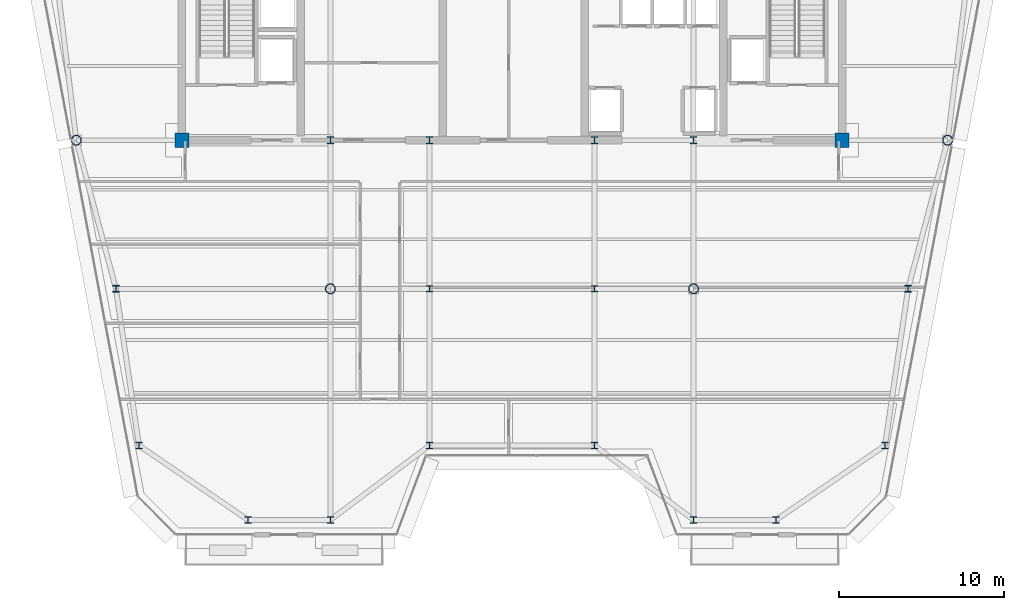
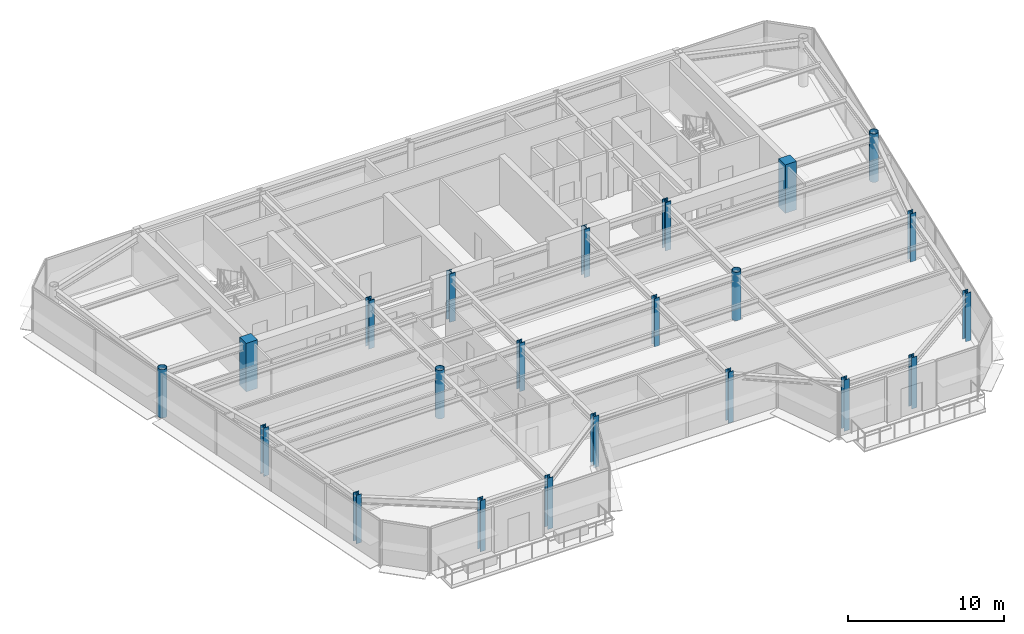
# One storey, part 1 of 20: 22 columns.
"""IFC4 building model written with IfcOpenShell, lengths in metres."""

from ifc_helpers import new_model, si_unit, direction, frame, origin, origin_2d, place, context, subcontext, project, spatial, rectangle, hollow_circle, i_section, extrude, source, transform, mapped, material, material_profile, profile_set, type_object, element, save


model = new_model("IFC4")

# Units and contexts
model_context = context("Model", 3, precision=1e-05, world=origin(), true_north=direction((0.0, 1.0)))
body_context = subcontext(model_context, "Body", "Model", "MODEL_VIEW")
ifc_project = project(units=[si_unit("LENGTHUNIT", "METRE"), si_unit("AREAUNIT", "SQUARE_METRE"), si_unit("VOLUMEUNIT", "CUBIC_METRE"), si_unit("PLANEANGLEUNIT", "RADIAN"), si_unit("MASSUNIT", "GRAM", prefix="KILO")], contexts=[model_context])

# Site, building, storey
site_placement = place(None, origin())
site = spatial("IfcSite", under=ifc_project, at=site_placement, CompositionType="ELEMENT")
building_placement = place(site_placement, origin())
building = spatial("IfcBuilding", under=site, at=building_placement, Name="Vaeldorn Concourse Tower", CompositionType="ELEMENT")
storey_placement = place(building_placement, frame((0.0, 0.0, 268.800048828125)))
storey = spatial("IfcBuildingStorey", under=building, at=storey_placement, Name="L69", CompositionType="ELEMENT", Elevation=268.800048828125)

# Columns
ifc_material_1 = material(Name="Concrete C50/60", Category="concrete")
ifc_material_profile_1 = material_profile(ifc_material_1, rectangle(XDim=0.85009765625, YDim=0.85009765625, at=origin_2d()), Name="RC 850x850")
ifc_profile_set_1 = profile_set([ifc_material_profile_1], Name="Concrete C50/60")
column_type_1 = type_object("IfcColumnType", Name="COL-RC850", PredefinedType="COLUMN", material=ifc_profile_set_1)
shared_shape_1 = source(origin(), body_context, "Body", "SweptSolid", [
    extrude(rectangle(XDim=0.85009765625, YDim=0.85009765625, at=origin_2d()), origin(), (0.0, 0.0, 1.0), 3.800048828125),
])
for number, where, z_axis, x_axis, name in (
    (1, (14.0, 36.5, 0.0), (0.0, 0.0, 1.0), (1.0, 0.0, 0.0), "Column C-FC1 L69"),
    (2, (54.0, 36.5, 0.0), (0.0, 0.0, 1.0), (1.0, 0.0, 0.0), "Column C-FC6 L69"),
):
    element("IfcColumn", number, at=place(storey_placement, frame(where, z_axis=z_axis, x_axis=x_axis)), inside=storey, type_object=column_type_1, Name=name, PredefinedType="COLUMN", context=body_context, shape_type="MappedRepresentation", body=[
        mapped(shared_shape_1, transform((0.0, 0.0, 0.0), scale=1.0)),
    ])
ifc_material_2 = material(Name="Steel S460", Category="steel")
ifc_material_profile_2 = material_profile(ifc_material_2, i_section(OverallWidth=0.41796875, OverallDepth=0.455078125, WebThickness=0.0419921875, FlangeThickness=0.05810546875, FilletRadius=0.014892578125, at=origin_2d()), Name="HD 400x551")
ifc_profile_set_2 = profile_set([ifc_material_profile_2], Name="Steel S460")
column_type_2 = type_object("IfcColumnType", Name="COL-HD551", PredefinedType="COLUMN", material=ifc_profile_set_2)
shared_shape_2 = source(origin(), body_context, "Body", "SweptSolid", [
    extrude(i_section(OverallWidth=0.41796875, OverallDepth=0.455078125, WebThickness=0.0419921875, FlangeThickness=0.05810546875, FilletRadius=0.014892578125, at=origin_2d()), origin(), (0.0, 0.0, 1.0), 3.800048828125),
])
for number, where, z_axis, x_axis, name in (
    (3, (23.0, 36.5, 0.0), (0.0, 0.0, 1.0), (1.0, 0.0, 0.0), "Column C-FC2 L69"),
    (4, (29.0, 36.5, 0.0), (0.0, 0.0, 1.0), (1.0, 0.0, 0.0), "Column C-FC3 L69"),
    (5, (39.0, 36.5, 0.0), (0.0, 0.0, 1.0), (1.0, 0.0, 0.0), "Column C-FC4 L69"),
    (6, (45.0, 36.5, 0.0), (0.0, 0.0, 1.0), (1.0, 0.0, 0.0), "Column C-FC5 L69"),
):
    element("IfcColumn", number, at=place(storey_placement, frame(where, z_axis=z_axis, x_axis=x_axis)), inside=storey, type_object=column_type_2, Name=name, PredefinedType="COLUMN", context=body_context, shape_type="MappedRepresentation", body=[
        mapped(shared_shape_2, transform((0.0, 0.0, 0.0), scale=1.0)),
    ])
ifc_material_3 = material(Name="Steel S355", Category="steel")
ifc_material_profile_3 = material_profile(ifc_material_3, hollow_circle(Radius=0.304931640625, WallThickness=0.030029296875, at=origin_2d()), Name="CHS 610x30")
ifc_profile_set_3 = profile_set([ifc_material_profile_3], Name="Steel S355")
column_type_3 = type_object("IfcColumnType", Name="COL-CHS610", PredefinedType="COLUMN", material=ifc_profile_set_3)
shared_shape_3 = source(origin(), body_context, "Body", "SweptSolid", [
    extrude(hollow_circle(Radius=0.304931640625, WallThickness=0.030029296875, at=origin_2d()), origin(), (0.0, 0.0, 1.0), 3.800048828125),
])
for number, where, z_axis, x_axis, name in (
    (7, (7.60009765625, 36.5, 0.0), (0.0, 0.0, 1.0), (1.0, 0.0, 0.0), "Column C-NW2 L69"),
    (8, (60.39990234375, 36.5, 0.0), (0.0, 0.0, 1.0), (1.0, 0.0, 0.0), "Column C-NE2 L69"),
    (9, (23.0, 27.5, 0.0), (0.0, 0.0, 1.0), (1.0, 0.0, 0.0), "Column C-TW1 L69"),
    (10, (45.0, 27.5, 0.0), (0.0, 0.0, 1.0), (1.0, 0.0, 0.0), "Column C-TW4 L69"),
):
    element("IfcColumn", number, at=place(storey_placement, frame(where, z_axis=z_axis, x_axis=x_axis)), inside=storey, type_object=column_type_3, Name=name, PredefinedType="COLUMN", context=body_context, shape_type="MappedRepresentation", body=[
        mapped(shared_shape_3, transform((0.0, 0.0, 0.0), scale=1.0)),
    ])
ifc_material_profile_4 = material_profile(ifc_material_3, i_section(OverallWidth=0.40087890625, OverallDepth=0.39892578125, WebThickness=0.02490234375, FlangeThickness=0.034912109375, FilletRadius=0.014892578125, at=origin_2d()), Name="HD 400x314")
ifc_profile_set_4 = profile_set([ifc_material_profile_4], Name="Steel S355")
column_type_4 = type_object("IfcColumnType", Name="COL-HD314F", PredefinedType="COLUMN", material=ifc_profile_set_4)
shared_shape_4 = source(origin(), body_context, "Body", "SweptSolid", [
    extrude(i_section(OverallWidth=0.40087890625, OverallDepth=0.39892578125, WebThickness=0.02490234375, FlangeThickness=0.034912109375, FilletRadius=0.014892578125, at=origin_2d()), origin(), (0.0, 0.0, 1.0), 3.800048828125),
])
for number, where, z_axis, x_axis, name in (
    (11, (10.0, 27.5, 0.0), (0.0, 0.0, 1.0), (1.0, 0.0, 0.0), "Column C-FLW1 L69"),
    (12, (11.39990234375, 18.0, 0.0), (0.0, 0.0, 1.0), (1.0, 0.0, 0.0), "Column C-FLW2 L69"),
    (13, (58.0, 27.5, 0.0), (0.0, 0.0, 1.0), (1.0, 0.0, 0.0), "Column C-FLE1 L69"),
    (14, (56.60009765625, 18.0, 0.0), (0.0, 0.0, 1.0), (1.0, 0.0, 0.0), "Column C-FLE2 L69"),
):
    element("IfcColumn", number, at=place(storey_placement, frame(where, z_axis=z_axis, x_axis=x_axis)), inside=storey, type_object=column_type_4, Name=name, PredefinedType="COLUMN", context=body_context, shape_type="MappedRepresentation", body=[
        mapped(shared_shape_4, transform((0.0, 0.0, 0.0), scale=1.0)),
    ])
ifc_material_profile_5 = material_profile(ifc_material_3, i_section(OverallWidth=0.39794921875, OverallDepth=0.386962890625, WebThickness=0.0205078125, FlangeThickness=0.029052734375, FilletRadius=0.014892578125, at=origin_2d()), Name="HD 400x262")
ifc_profile_set_5 = profile_set([ifc_material_profile_5], Name="Steel S355")
column_type_5 = type_object("IfcColumnType", Name="COL-HD262T", PredefinedType="COLUMN", material=ifc_profile_set_5)
shared_shape_5 = source(origin(), body_context, "Body", "SweptSolid", [
    extrude(i_section(OverallWidth=0.39794921875, OverallDepth=0.386962890625, WebThickness=0.0205078125, FlangeThickness=0.029052734375, FilletRadius=0.014892578125, at=origin_2d()), origin(), (0.0, 0.0, 1.0), 3.800048828125),
])
for number, where, z_axis, x_axis, name in (
    (15, (29.0, 27.5, 0.0), (0.0, 0.0, 1.0), (1.0, 0.0, 0.0), "Column C-TW2 L69"),
    (16, (39.0, 27.5, 0.0), (0.0, 0.0, 1.0), (1.0, 0.0, 0.0), "Column C-TW3 L69"),
):
    element("IfcColumn", number, at=place(storey_placement, frame(where, z_axis=z_axis, x_axis=x_axis)), inside=storey, type_object=column_type_5, Name=name, PredefinedType="COLUMN", context=body_context, shape_type="MappedRepresentation", body=[
        mapped(shared_shape_5, transform((0.0, 0.0, 0.0), scale=1.0)),
    ])
shared_shape_6 = source(origin(), body_context, "Body", "SweptSolid", [
    extrude(i_section(OverallWidth=0.39794921875, OverallDepth=0.386962890625, WebThickness=0.0205078125, FlangeThickness=0.029052734375, FilletRadius=0.014892578125, at=origin_2d()), origin(), (0.0, 0.0, 1.0), 4.02001953125),
])
for number, where, z_axis, x_axis, name in (
    (17, (18.0, 13.5, -0.219970703125), (0.0, 0.0, 1.0), (1.0, 0.0, 0.0), "Column C-SF1 L69"),
    (18, (23.0, 13.5, -0.219970703125), (0.0, 0.0, 1.0), (1.0, 0.0, 0.0), "Column C-SF2 L69"),
    (19, (29.0, 18.0, -0.219970703125), (0.0, 0.0, 1.0), (1.0, 0.0, 0.0), "Column C-SF3 L69"),
    (20, (39.0, 18.0, -0.219970703125), (0.0, 0.0, 1.0), (1.0, 0.0, 0.0), "Column C-SF4 L69"),
    (21, (45.0, 13.5, -0.219970703125), (0.0, 0.0, 1.0), (1.0, 0.0, 0.0), "Column C-SF5 L69"),
    (22, (50.0, 13.5, -0.219970703125), (0.0, 0.0, 1.0), (1.0, 0.0, 0.0), "Column C-SF6 L69"),
):
    element("IfcColumn", number, at=place(storey_placement, frame(where, z_axis=z_axis, x_axis=x_axis)), inside=storey, type_object=column_type_5, Name=name, PredefinedType="COLUMN", context=body_context, shape_type="MappedRepresentation", body=[
        mapped(shared_shape_6, transform((0.0, 0.0, 0.0), scale=1.0)),
    ])

save(model, "model.ifc")
